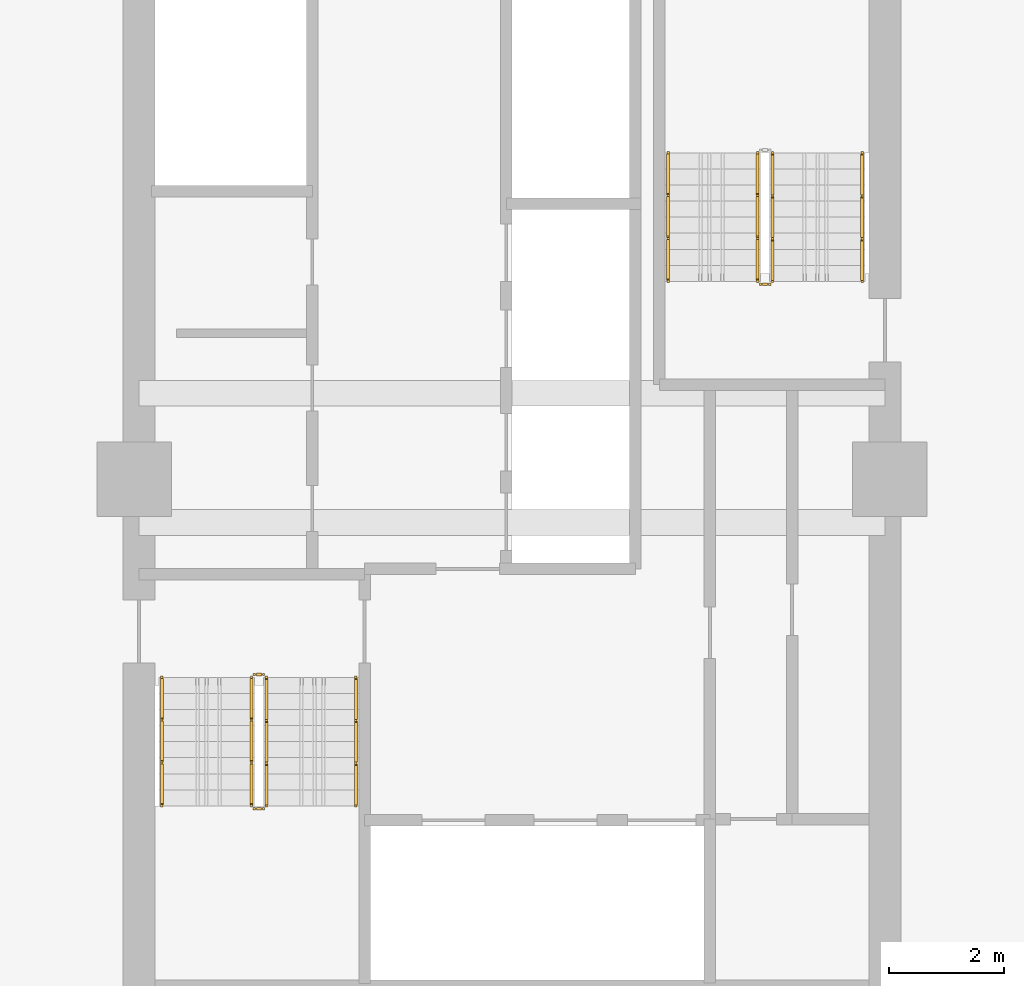
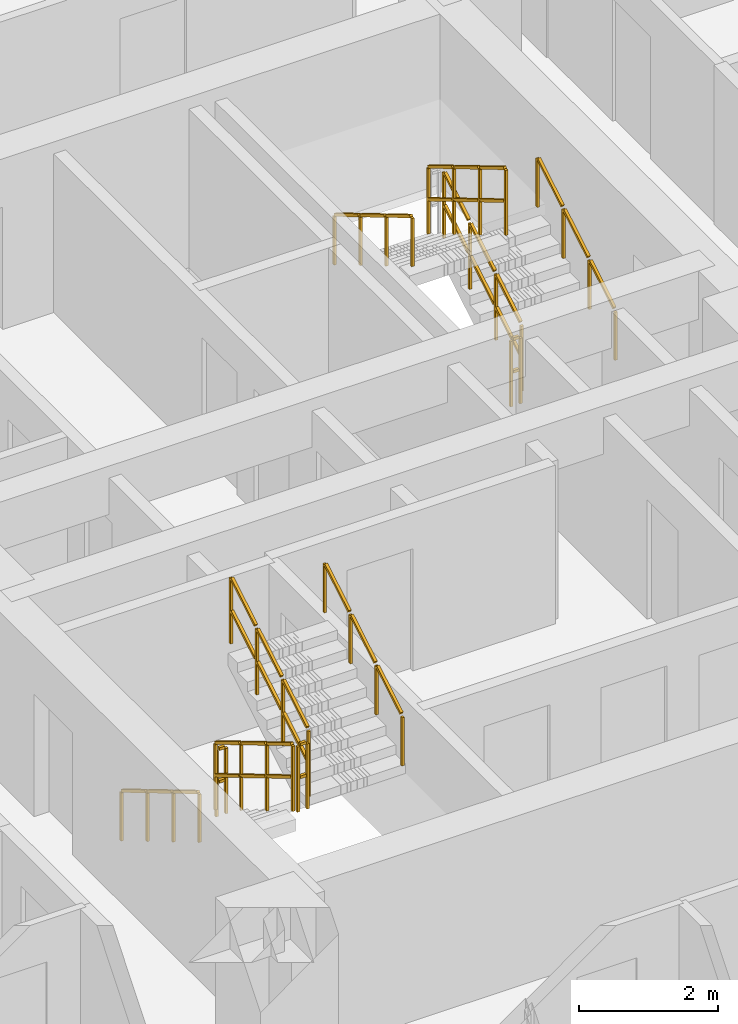
# One storey, part 11 of 13: 11 railings.
"""IFC4 building model written with IfcOpenShell, lengths in metres."""

import ifcopenshell
import ifcopenshell.guid

model = None  # the IFC model being written
_history = None  # IfcOwnerHistory: only IFC2X3 demands one
_inside = {}  # id of a spatial element -> (the spatial element, [elements in it])
_under = {}  # id of a project, library or spatial element -> (it, [spatial elements below it])
_declared = {}  # id of a project -> (the project, [libraries it declares])
_typed = {}  # id of a type object -> (the type object, [elements of that type])
_made_of = {}  # id of a material, layer set ... -> (it, [elements and type objects made of it])


def new_model(schema):
    """Start an empty IFC model of exactly this schema.

    Asked for "IFC4X3", IfcOpenShell would pick the latest addendum, in which some entities
    have other attributes; the version numbers below select the first issue.
    IFC2X3 requires an IfcOwnerHistory on every rooted entity: one is made here for all.
    """
    global model, _history
    if schema == "IFC4X3":
        model = ifcopenshell.file(schema_version=(4, 3, 0, 0))
    else:
        model = ifcopenshell.file(schema=schema)
    _inside.clear()
    _under.clear()
    _declared.clear()
    _typed.clear()
    _made_of.clear()
    _history = None
    if model.schema == "IFC2X3":
        org = make("IfcOrganization", Name="unknown")
        user = make(
            "IfcPersonAndOrganization",
            ThePerson=make("IfcPerson", FamilyName="unknown"),
            TheOrganization=org,
        )
        app = make(
            "IfcApplication",
            ApplicationDeveloper=org,
            Version="unknown",
            ApplicationFullName="unknown",
            ApplicationIdentifier="unknown",
        )
        _history = make(
            "IfcOwnerHistory",
            OwningUser=user,
            OwningApplication=app,
            ChangeAction="ADDED",
            CreationDate=0,
        )
    return model


def make(cls, **values):
    """One entity of the class cls with the attributes given. An attribute that is None is left unset."""
    return model.create_entity(
        cls, **{name: value for name, value in values.items() if value is not None}
    )


def rooted(cls, **values):
    """An entity with a GlobalId (a new one), such as an element, a storey or a relation."""
    return make(cls, GlobalId=ifcopenshell.guid.new(), OwnerHistory=_history, **values)


def si_unit(unit_type, name, prefix=None):
    """IfcSIUnit, for example si_unit("LENGTHUNIT", "METRE", prefix="MILLI")."""
    return make("IfcSIUnit", UnitType=unit_type, Prefix=prefix, Name=name)


def assignment(units):
    """IfcUnitAssignment: the units of a project."""
    return None if units is None else make("IfcUnitAssignment", Units=units)


def point(xyz):
    """IfcCartesianPoint."""
    return None if xyz is None else make("IfcCartesianPoint", Coordinates=xyz)


def direction(xyz):
    """IfcDirection."""
    return None if xyz is None else make("IfcDirection", DirectionRatios=xyz)


def frame(location, z_axis=None, x_axis=None):
    """IfcAxis2Placement3D, a coordinate frame: its origin and axes. An axis left out is left unset."""
    return make(
        "IfcAxis2Placement3D",
        Location=point(location),
        Axis=direction(z_axis),
        RefDirection=direction(x_axis),
    )


def frame_2d(location, x_axis=None):
    """IfcAxis2Placement2D, a coordinate frame in the plane: its origin and x axis."""
    return make(
        "IfcAxis2Placement2D", Location=point(location), RefDirection=direction(x_axis)
    )


def origin():
    """The frame at (0, 0, 0) with its axes left unset."""
    return frame((0.0, 0.0, 0.0))


def origin_2d():
    """The frame at (0, 0) in the plane with its x axis left unset."""
    return frame_2d((0.0, 0.0))


def place(relative_to, where):
    """IfcLocalPlacement: puts the frame where relative to a parent placement (None: the world)."""
    return make(
        "IfcLocalPlacement", PlacementRelTo=relative_to, RelativePlacement=where
    )


def context(
    kind, dimensions, precision=None, world=None, true_north=None, identifier=None
):
    """IfcGeometricRepresentationContext, for example the 3D "Model" context."""
    return make(
        "IfcGeometricRepresentationContext",
        ContextIdentifier=identifier,
        ContextType=kind,
        CoordinateSpaceDimension=dimensions,
        Precision=precision,
        WorldCoordinateSystem=world,
        TrueNorth=true_north,
    )


def subcontext(parent, identifier, kind, view, scale=None):
    """IfcGeometricRepresentationSubContext, for example "Body" below "Model"."""
    return make(
        "IfcGeometricRepresentationSubContext",
        ContextIdentifier=identifier,
        ContextType=kind,
        ParentContext=parent,
        TargetScale=scale,
        TargetView=view,
    )


def project(units=None, contexts=None):
    """IfcProject with its units and contexts."""
    return rooted(
        "IfcProject",
        Name="project",
        RepresentationContexts=contexts,
        UnitsInContext=assignment(units),
    )


def spatial(cls, under=None, at=None, **own):
    """A site, building, storey or space (cls), placed at a placement, below another one or the project."""
    s = rooted(cls, ObjectPlacement=at, **own)
    if under is not None:
        _under.setdefault(under.id(), (under, []))[1].append(s)
    return s


def profile(cls, at=None, kind="AREA", **sizes):
    """A parametric profile (cls). Its sizes go by their IFC names, for example OverallWidth=200.0."""
    return make(cls, ProfileType=kind, Position=at, **sizes)


def rectangle(**sizes):
    """IfcRectangleProfileDef."""
    return profile("IfcRectangleProfileDef", **sizes)


def extrude(swept, where, along, depth):
    """IfcExtrudedAreaSolid: the profile swept, set in the frame where, extruded along a direction by depth."""
    return make(
        "IfcExtrudedAreaSolid",
        SweptArea=swept,
        Position=where,
        ExtrudedDirection=direction(along),
        Depth=depth,
    )


def shape(context_of_items, identifier, shape_type, items):
    """IfcShapeRepresentation: the items that make up one representation, for example the "Body"."""
    return make(
        "IfcShapeRepresentation",
        ContextOfItems=context_of_items,
        RepresentationIdentifier=identifier,
        RepresentationType=shape_type,
        Items=items,
    )


def material(Name=None, Category=None):
    """IfcMaterial."""
    return make("IfcMaterial", Name=Name, Category=Category)


def made_of(thing, what):
    """Note that an element or type object is made of a material, layer set ...; save() writes the relation."""
    if what is not None:
        _made_of.setdefault(what.id(), (what, []))[1].append(thing)
    return thing


def type_object(cls, material=None, **own):
    """A type object (cls), such as IfcWallType, which elements share."""
    return made_of(rooted(cls, **own), material)


def element(
    cls,
    number,
    at=None,
    inside=None,
    cuts=None,
    type_object=None,
    material=None,
    context=None,
    identifier="Body",
    shape_type=None,
    held_by="IfcProductDefinitionShape",
    body=None,
    shapes=None,
    **own,
):
    """One element of the class cls, such as IfcWall. Its Tag is "e" and its number.

    at: its placement. inside: the storey or other place that contains it. cuts: it is an
    opening in that element (IfcRelVoidsElement). A single representation is given by context,
    identifier, shape_type and body (its items); several are given by shapes. held_by: the class
    of the entity that holds the representations. save() writes the other relations.
    """
    e = rooted(cls, Tag="e%d" % number, ObjectPlacement=at, **own)
    if body is not None:
        shapes = [shape(context, identifier, shape_type, body)]
    if shapes is not None:
        e.Representation = make(held_by, Representations=shapes)
    if inside is not None:
        _inside.setdefault(inside.id(), (inside, []))[1].append(e)
    if cuts is not None:
        rooted(
            "IfcRelVoidsElement", RelatingBuildingElement=cuts, RelatedOpeningElement=e
        )
    if type_object is not None:
        _typed.setdefault(type_object.id(), (type_object, []))[1].append(e)
    return made_of(e, material)


def aggregate(whole, parts):
    """IfcRelAggregates: a whole, such as a stair, and the parts it consists of."""
    return rooted("IfcRelAggregates", RelatingObject=whole, RelatedObjects=parts)


def save(model, path):
    """Write the relations noted so far, then the file.

    IfcRelAggregates (storeys below a building ...), IfcRelContainedInSpatialStructure (elements
    in a storey), IfcRelDefinesByType, IfcRelAssociatesMaterial and IfcRelDeclares: one each for
    every whole, place, type object, material and project.
    """
    for whole, parts in _under.values():
        aggregate(whole, parts)
    for where, things in _inside.values():
        rooted(
            "IfcRelContainedInSpatialStructure",
            RelatedElements=things,
            RelatingStructure=where,
        )
    for kind, things in _typed.values():
        rooted("IfcRelDefinesByType", RelatedObjects=things, RelatingType=kind)
    for what, things in _made_of.values():
        rooted("IfcRelAssociatesMaterial", RelatedObjects=things, RelatingMaterial=what)
    for by, libraries in _declared.values():
        rooted("IfcRelDeclares", RelatingContext=by, RelatedDefinitions=libraries)
    model.write(path)


model = new_model("IFC4")

# Units and contexts
model_context = context("Model", 3, precision=1e-05, world=origin(), true_north=direction((0.0, 1.0)))
body_context = subcontext(model_context, "Body", "Model", "MODEL_VIEW")
ifc_project = project(units=[si_unit("LENGTHUNIT", "METRE"), si_unit("AREAUNIT", "SQUARE_METRE"), si_unit("VOLUMEUNIT", "CUBIC_METRE"), si_unit("PLANEANGLEUNIT", "RADIAN"), si_unit("MASSUNIT", "GRAM", prefix="KILO")], contexts=[model_context])

# Site, building, storey
site_placement = place(None, origin())
site = spatial("IfcSite", under=ifc_project, at=site_placement, CompositionType="ELEMENT")
building_placement = place(site_placement, origin())
building = spatial("IfcBuilding", under=site, at=building_placement, Name="Saelheon Loggia Tower", CompositionType="ELEMENT")
storey_placement = place(building_placement, frame((0.0, 0.0, 129.75)))
storey = spatial("IfcBuildingStorey", under=building, at=storey_placement, Name="L41", CompositionType="ELEMENT", Elevation=129.75)

# Railings
ifc_material_1 = material(Name="Galvanised Steel S275 Stairwell Guardrail", Category="steel")
railing_type_1 = type_object("IfcRailingType", Name="Guard_StairWell_RL_STG", PredefinedType="GUARDRAIL", material=ifc_material_1)
railing_1_placement = place(storey_placement, frame((33.4599609375, 23.550048828125, 0.166748046875)))
element("IfcRailing", 1, at=railing_1_placement, inside=storey, type_object=railing_type_1, Name="L41 ST1 stair guard 1", PredefinedType="GUARDRAIL", context=body_context, shape_type="SweptSolid", body=[
    extrude(rectangle(XDim=0.048095703125, YDim=0.048095703125, at=origin_2d()), frame((0.0, -0.028564453125, 1.19287109375), z_axis=(0.0, -0.859305625298, 0.511462454469), x_axis=(1.0, 0.0, 0.0)), (0.0, 0.0, 1.0), 0.802490234375),
    extrude(rectangle(XDim=0.048095703125, YDim=0.048095703125, at=origin_2d()), frame((0.0, -0.028564453125, 0.616943359375), z_axis=(0.0, -0.859305625298, 0.511462454469), x_axis=(1.0, 0.0, 0.0)), (0.0, 0.0, 1.0), 0.802490234375),
    extrude(rectangle(XDim=0.048095703125, YDim=0.048095703125, at=origin_2d()), frame((0.0, -0.775146484375, 1.63720703125), z_axis=(0.0, -0.859305625298, 0.511462454469), x_axis=(1.0, 0.0, 0.0)), (0.0, 0.0, 1.0), 0.802490234375),
    extrude(rectangle(XDim=0.048095703125, YDim=0.048095703125, at=origin_2d()), frame((0.0, -0.775146484375, 1.061279296875), z_axis=(0.0, -0.859305625298, 0.511462454469), x_axis=(1.0, 0.0, 0.0)), (0.0, 0.0, 1.0), 0.802490234375),
    extrude(rectangle(XDim=0.048095703125, YDim=0.048095703125, at=origin_2d()), frame((0.0, -1.52197265625, 2.081787109375), z_axis=(0.0, -0.859305625298, 0.511462454469), x_axis=(1.0, 0.0, 0.0)), (0.0, 0.0, 1.0), 0.802490234375),
    extrude(rectangle(XDim=0.048095703125, YDim=0.048095703125, at=origin_2d()), frame((0.0, -1.52197265625, 1.505859375), z_axis=(0.0, -0.859305625298, 0.511462454469), x_axis=(1.0, 0.0, 0.0)), (0.0, 0.0, 1.0), 0.802490234375),
    extrude(rectangle(XDim=0.0419921875, YDim=0.0419921875, at=origin_2d()), origin(), (0.0, 0.0, 1.0), 1.14794921875),
    extrude(rectangle(XDim=0.0419921875, YDim=0.0419921875, at=origin_2d()), frame((0.0, -0.74658203125, 0.4443359375)), (0.0, 0.0, 1.0), 1.14794921875),
    extrude(rectangle(XDim=0.0419921875, YDim=0.0419921875, at=origin_2d()), frame((0.0, -1.493408203125, 0.888916015625)), (0.0, 0.0, 1.0), 1.14794921875),
    extrude(rectangle(XDim=0.0419921875, YDim=0.0419921875, at=origin_2d()), frame((0.0, -2.239990234375, 1.333251953125)), (0.0, 0.0, 1.0), 1.14794921875),
])
railing_2_placement = place(storey_placement, frame((33.510009765625, 21.260009765625, 1.5)))
element("IfcRailing", 2, at=railing_2_placement, inside=storey, type_object=railing_type_1, Name="L41 ST1 stair guard 2", PredefinedType="GUARDRAIL", context=body_context, shape_type="SweptSolid", body=[
    extrude(rectangle(XDim=0.048095703125, YDim=0.048095703125, at=origin_2d()), frame((0.033203125, 0.0, 1.17578125), z_axis=(1.0, 0.0, 0.0), x_axis=(0.0, 1.0, 0.0)), (0.0, 0.0, 1.0), 0.093505859375),
    extrude(rectangle(XDim=0.048095703125, YDim=0.048095703125, at=origin_2d()), frame((0.033203125, 0.0, 0.60009765625), z_axis=(1.0, 0.0, 0.0), x_axis=(0.0, 1.0, 0.0)), (0.0, 0.0, 1.0), 0.093505859375),
    extrude(rectangle(XDim=0.0419921875, YDim=0.0419921875, at=origin_2d()), origin(), (0.0, 0.0, 1.0), 1.14794921875),
    extrude(rectangle(XDim=0.0419921875, YDim=0.0419921875, at=origin_2d()), frame((0.159912109375, 0.0, 0.0)), (0.0, 0.0, 1.0), 1.14794921875),
])
railing_3_placement = place(storey_placement, frame((33.719970703125, 21.31005859375, 1.666748046875)))
element("IfcRailing", 3, at=railing_3_placement, inside=storey, type_object=railing_type_1, Name="L41 ST1 stair guard 3", PredefinedType="GUARDRAIL", context=body_context, shape_type="SweptSolid", body=[
    extrude(rectangle(XDim=0.048095703125, YDim=0.048095703125, at=origin_2d()), frame((0.0, 0.028564453125, 1.19287109375), z_axis=(0.0, 0.859305625298, 0.511462454469), x_axis=(-1.0, 0.0, 0.0)), (0.0, 0.0, 1.0), 0.802490234375),
    extrude(rectangle(XDim=0.048095703125, YDim=0.048095703125, at=origin_2d()), frame((0.0, 0.028564453125, 0.616943359375), z_axis=(0.0, 0.859305625298, 0.511462454469), x_axis=(-1.0, 0.0, 0.0)), (0.0, 0.0, 1.0), 0.802490234375),
    extrude(rectangle(XDim=0.048095703125, YDim=0.048095703125, at=origin_2d()), frame((0.0, 0.775146484375, 1.63720703125), z_axis=(0.0, 0.859305625298, 0.511462454469), x_axis=(-1.0, 0.0, 0.0)), (0.0, 0.0, 1.0), 0.802490234375),
    extrude(rectangle(XDim=0.048095703125, YDim=0.048095703125, at=origin_2d()), frame((0.0, 0.775146484375, 1.061279296875), z_axis=(0.0, 0.859305625298, 0.511462454469), x_axis=(-1.0, 0.0, 0.0)), (0.0, 0.0, 1.0), 0.802490234375),
    extrude(rectangle(XDim=0.048095703125, YDim=0.048095703125, at=origin_2d()), frame((0.0, 1.52197265625, 2.081787109375), z_axis=(0.0, 0.859305625298, 0.511462454469), x_axis=(-1.0, 0.0, 0.0)), (0.0, 0.0, 1.0), 0.802490234375),
    extrude(rectangle(XDim=0.048095703125, YDim=0.048095703125, at=origin_2d()), frame((0.0, 1.52197265625, 1.505859375), z_axis=(0.0, 0.859305625298, 0.511462454469), x_axis=(-1.0, 0.0, 0.0)), (0.0, 0.0, 1.0), 0.802490234375),
    extrude(rectangle(XDim=0.0419921875, YDim=0.0419921875, at=origin_2d()), origin(), (0.0, 0.0, 1.0), 1.14794921875),
    extrude(rectangle(XDim=0.0419921875, YDim=0.0419921875, at=origin_2d()), frame((0.0, 0.74658203125, 0.4443359375)), (0.0, 0.0, 1.0), 1.14794921875),
    extrude(rectangle(XDim=0.0419921875, YDim=0.0419921875, at=origin_2d()), frame((0.0, 1.493408203125, 0.888916015625)), (0.0, 0.0, 1.0), 1.14794921875),
    extrude(rectangle(XDim=0.0419921875, YDim=0.0419921875, at=origin_2d()), frame((0.0, 2.239990234375, 1.333251953125)), (0.0, 0.0, 1.0), 1.14794921875),
])
railing_4_placement = place(storey_placement, frame((33.510009765625, 23.60009765625, 0.0)))
element("IfcRailing", 4, at=railing_4_placement, inside=storey, type_object=railing_type_1, Name="L41 ST1 stair guard 4", PredefinedType="GUARDRAIL", context=body_context, shape_type="SweptSolid", body=[
    extrude(rectangle(XDim=0.048095703125, YDim=0.048095703125, at=origin_2d()), frame((0.033203125, 0.0, 1.17578125), z_axis=(1.0, 0.0, 0.0), x_axis=(0.0, 1.0, 0.0)), (0.0, 0.0, 1.0), 0.093505859375),
    extrude(rectangle(XDim=0.048095703125, YDim=0.048095703125, at=origin_2d()), frame((0.033203125, 0.0, 0.60009765625), z_axis=(1.0, 0.0, 0.0), x_axis=(0.0, 1.0, 0.0)), (0.0, 0.0, 1.0), 0.093505859375),
    extrude(rectangle(XDim=0.0419921875, YDim=0.0419921875, at=origin_2d()), origin(), (0.0, 0.0, 1.0), 1.14794921875),
    extrude(rectangle(XDim=0.0419921875, YDim=0.0419921875, at=origin_2d()), frame((0.159912109375, 0.0, 0.0)), (0.0, 0.0, 1.0), 1.14794921875),
])
railing_5_placement = place(storey_placement, frame((42.5400390625, 30.449951171875, 0.166748046875)))
element("IfcRailing", 5, at=railing_5_placement, inside=storey, type_object=railing_type_1, Name="L41 ST2 stair guard 1", PredefinedType="GUARDRAIL", context=body_context, shape_type="SweptSolid", body=[
    extrude(rectangle(XDim=0.048095703125, YDim=0.048095703125, at=origin_2d()), frame((0.0, 0.028564453125, 1.19287109375), z_axis=(0.0, 0.859305625298, 0.511462454469), x_axis=(-1.0, 0.0, 0.0)), (0.0, 0.0, 1.0), 0.802490234375),
    extrude(rectangle(XDim=0.048095703125, YDim=0.048095703125, at=origin_2d()), frame((0.0, 0.028564453125, 0.616943359375), z_axis=(0.0, 0.859305625298, 0.511462454469), x_axis=(-1.0, 0.0, 0.0)), (0.0, 0.0, 1.0), 0.802490234375),
    extrude(rectangle(XDim=0.048095703125, YDim=0.048095703125, at=origin_2d()), frame((0.0, 0.775146484375, 1.63720703125), z_axis=(0.0, 0.859305625298, 0.511462454469), x_axis=(-1.0, 0.0, 0.0)), (0.0, 0.0, 1.0), 0.802490234375),
    extrude(rectangle(XDim=0.048095703125, YDim=0.048095703125, at=origin_2d()), frame((0.0, 0.775146484375, 1.061279296875), z_axis=(0.0, 0.859305625298, 0.511462454469), x_axis=(-1.0, 0.0, 0.0)), (0.0, 0.0, 1.0), 0.802490234375),
    extrude(rectangle(XDim=0.048095703125, YDim=0.048095703125, at=origin_2d()), frame((0.0, 1.52197265625, 2.081787109375), z_axis=(0.0, 0.859305625298, 0.511462454469), x_axis=(-1.0, 0.0, 0.0)), (0.0, 0.0, 1.0), 0.802490234375),
    extrude(rectangle(XDim=0.048095703125, YDim=0.048095703125, at=origin_2d()), frame((0.0, 1.52197265625, 1.505859375), z_axis=(0.0, 0.859305625298, 0.511462454469), x_axis=(-1.0, 0.0, 0.0)), (0.0, 0.0, 1.0), 0.802490234375),
    extrude(rectangle(XDim=0.0419921875, YDim=0.0419921875, at=origin_2d()), origin(), (0.0, 0.0, 1.0), 1.14794921875),
    extrude(rectangle(XDim=0.0419921875, YDim=0.0419921875, at=origin_2d()), frame((0.0, 0.74658203125, 0.4443359375)), (0.0, 0.0, 1.0), 1.14794921875),
    extrude(rectangle(XDim=0.0419921875, YDim=0.0419921875, at=origin_2d()), frame((0.0, 1.493408203125, 0.888916015625)), (0.0, 0.0, 1.0), 1.14794921875),
    extrude(rectangle(XDim=0.0419921875, YDim=0.0419921875, at=origin_2d()), frame((0.0, 2.239990234375, 1.333251953125)), (0.0, 0.0, 1.0), 1.14794921875),
])
railing_6_placement = place(storey_placement, frame((42.280029296875, 32.68994140625, 1.666748046875)))
element("IfcRailing", 6, at=railing_6_placement, inside=storey, type_object=railing_type_1, Name="L41 ST2 stair guard 3", PredefinedType="GUARDRAIL", context=body_context, shape_type="SweptSolid", body=[
    extrude(rectangle(XDim=0.048095703125, YDim=0.048095703125, at=origin_2d()), frame((0.0, -0.028564453125, 1.19287109375), z_axis=(0.0, -0.859305625298, 0.511462454469), x_axis=(1.0, 0.0, 0.0)), (0.0, 0.0, 1.0), 0.802490234375),
    extrude(rectangle(XDim=0.048095703125, YDim=0.048095703125, at=origin_2d()), frame((0.0, -0.028564453125, 0.616943359375), z_axis=(0.0, -0.859305625298, 0.511462454469), x_axis=(1.0, 0.0, 0.0)), (0.0, 0.0, 1.0), 0.802490234375),
    extrude(rectangle(XDim=0.048095703125, YDim=0.048095703125, at=origin_2d()), frame((0.0, -0.775146484375, 1.63720703125), z_axis=(0.0, -0.859305625298, 0.511462454469), x_axis=(1.0, 0.0, 0.0)), (0.0, 0.0, 1.0), 0.802490234375),
    extrude(rectangle(XDim=0.048095703125, YDim=0.048095703125, at=origin_2d()), frame((0.0, -0.775146484375, 1.061279296875), z_axis=(0.0, -0.859305625298, 0.511462454469), x_axis=(1.0, 0.0, 0.0)), (0.0, 0.0, 1.0), 0.802490234375),
    extrude(rectangle(XDim=0.048095703125, YDim=0.048095703125, at=origin_2d()), frame((0.0, -1.52197265625, 2.081787109375), z_axis=(0.0, -0.859305625298, 0.511462454469), x_axis=(1.0, 0.0, 0.0)), (0.0, 0.0, 1.0), 0.802490234375),
    extrude(rectangle(XDim=0.048095703125, YDim=0.048095703125, at=origin_2d()), frame((0.0, -1.52197265625, 1.505859375), z_axis=(0.0, -0.859305625298, 0.511462454469), x_axis=(1.0, 0.0, 0.0)), (0.0, 0.0, 1.0), 0.802490234375),
    extrude(rectangle(XDim=0.0419921875, YDim=0.0419921875, at=origin_2d()), origin(), (0.0, 0.0, 1.0), 1.14794921875),
    extrude(rectangle(XDim=0.0419921875, YDim=0.0419921875, at=origin_2d()), frame((0.0, -0.74658203125, 0.4443359375)), (0.0, 0.0, 1.0), 1.14794921875),
    extrude(rectangle(XDim=0.0419921875, YDim=0.0419921875, at=origin_2d()), frame((0.0, -1.493408203125, 0.888916015625)), (0.0, 0.0, 1.0), 1.14794921875),
    extrude(rectangle(XDim=0.0419921875, YDim=0.0419921875, at=origin_2d()), frame((0.0, -2.239990234375, 1.333251953125)), (0.0, 0.0, 1.0), 1.14794921875),
])
railing_7_placement = place(storey_placement, frame((42.489990234375, 30.39990234375, 0.0)))
element("IfcRailing", 7, at=railing_7_placement, inside=storey, type_object=railing_type_1, Name="L41 ST2 stair guard 4", PredefinedType="GUARDRAIL", context=body_context, shape_type="SweptSolid", body=[
    extrude(rectangle(XDim=0.048095703125, YDim=0.048095703125, at=origin_2d()), frame((-0.033203125, 0.0, 1.17578125), z_axis=(-1.0, 0.0, 0.0), x_axis=(0.0, -1.0, 0.0)), (0.0, 0.0, 1.0), 0.093505859375),
    extrude(rectangle(XDim=0.048095703125, YDim=0.048095703125, at=origin_2d()), frame((-0.033203125, 0.0, 0.60009765625), z_axis=(-1.0, 0.0, 0.0), x_axis=(0.0, -1.0, 0.0)), (0.0, 0.0, 1.0), 0.093505859375),
    extrude(rectangle(XDim=0.0419921875, YDim=0.0419921875, at=origin_2d()), origin(), (0.0, 0.0, 1.0), 1.14794921875),
    extrude(rectangle(XDim=0.0419921875, YDim=0.0419921875, at=origin_2d()), frame((-0.159912109375, 0.0, 0.0)), (0.0, 0.0, 1.0), 1.14794921875),
])
ifc_material_2 = material(Name="Stainless Steel 304 Tubular Handrail", Category="steel")
railing_type_2 = type_object("IfcRailingType", Name="Handrail_Stair_RL_HR1", PredefinedType="HANDRAIL", material=ifc_material_2)
railing_8_placement = place(storey_placement, frame((31.89990234375, 23.550048828125, 0.166748046875)))
element("IfcRailing", 8, at=railing_8_placement, inside=storey, type_object=railing_type_2, Name="L41 ST1 stair handrail 1", PredefinedType="HANDRAIL", context=body_context, shape_type="SweptSolid", body=[
    extrude(rectangle(XDim=0.048095703125, YDim=0.048095703125, at=origin_2d()), frame((0.0, -0.028564453125, 0.892822265625), z_axis=(0.0, -0.859305625298, 0.511462454469), x_axis=(1.0, 0.0, 0.0)), (0.0, 0.0, 1.0), 0.802490234375),
    extrude(rectangle(XDim=0.048095703125, YDim=0.048095703125, at=origin_2d()), frame((0.0, -0.775146484375, 1.337158203125), z_axis=(0.0, -0.859305625298, 0.511462454469), x_axis=(1.0, 0.0, 0.0)), (0.0, 0.0, 1.0), 0.802490234375),
    extrude(rectangle(XDim=0.048095703125, YDim=0.048095703125, at=origin_2d()), frame((0.0, -1.52197265625, 1.78173828125), z_axis=(0.0, -0.859305625298, 0.511462454469), x_axis=(1.0, 0.0, 0.0)), (0.0, 0.0, 1.0), 0.802490234375),
    extrude(rectangle(XDim=0.0419921875, YDim=0.0419921875, at=origin_2d()), origin(), (0.0, 0.0, 1.0), 0.847900390625),
    extrude(rectangle(XDim=0.0419921875, YDim=0.0419921875, at=origin_2d()), frame((0.0, -0.74658203125, 0.4443359375)), (0.0, 0.0, 1.0), 0.847900390625),
    extrude(rectangle(XDim=0.0419921875, YDim=0.0419921875, at=origin_2d()), frame((0.0, -1.493408203125, 0.888916015625)), (0.0, 0.0, 1.0), 0.847900390625),
    extrude(rectangle(XDim=0.0419921875, YDim=0.0419921875, at=origin_2d()), frame((0.0, -2.239990234375, 1.333251953125)), (0.0, 0.0, 1.0), 0.847900390625),
])
for number, where, name in (
    (9, (35.280029296875, 21.31005859375, 1.666748046875), "L41 ST1 stair handrail 2"),
    (10, (44.10009765625, 30.449951171875, 0.166748046875), "L41 ST2 stair handrail 1"),
):
    element("IfcRailing", number, at=place(storey_placement, frame(where)), inside=storey, type_object=railing_type_2, Name=name, PredefinedType="HANDRAIL", context=body_context, shape_type="SweptSolid", body=[
        extrude(rectangle(XDim=0.048095703125, YDim=0.048095703125, at=origin_2d()), frame((0.0, 0.028564453125, 0.892822265625), z_axis=(0.0, 0.859305625298, 0.511462454469), x_axis=(-1.0, 0.0, 0.0)), (0.0, 0.0, 1.0), 0.802490234375),
        extrude(rectangle(XDim=0.048095703125, YDim=0.048095703125, at=origin_2d()), frame((0.0, 0.775146484375, 1.337158203125), z_axis=(0.0, 0.859305625298, 0.511462454469), x_axis=(-1.0, 0.0, 0.0)), (0.0, 0.0, 1.0), 0.802490234375),
        extrude(rectangle(XDim=0.048095703125, YDim=0.048095703125, at=origin_2d()), frame((0.0, 1.52197265625, 1.78173828125), z_axis=(0.0, 0.859305625298, 0.511462454469), x_axis=(-1.0, 0.0, 0.0)), (0.0, 0.0, 1.0), 0.802490234375),
        extrude(rectangle(XDim=0.0419921875, YDim=0.0419921875, at=origin_2d()), origin(), (0.0, 0.0, 1.0), 0.847900390625),
        extrude(rectangle(XDim=0.0419921875, YDim=0.0419921875, at=origin_2d()), frame((0.0, 0.74658203125, 0.4443359375)), (0.0, 0.0, 1.0), 0.847900390625),
        extrude(rectangle(XDim=0.0419921875, YDim=0.0419921875, at=origin_2d()), frame((0.0, 1.493408203125, 0.888916015625)), (0.0, 0.0, 1.0), 0.847900390625),
        extrude(rectangle(XDim=0.0419921875, YDim=0.0419921875, at=origin_2d()), frame((0.0, 2.239990234375, 1.333251953125)), (0.0, 0.0, 1.0), 0.847900390625),
    ])
railing_9_placement = place(storey_placement, frame((40.719970703125, 32.68994140625, 1.666748046875)))
element("IfcRailing", 11, at=railing_9_placement, inside=storey, type_object=railing_type_2, Name="L41 ST2 stair handrail 2", PredefinedType="HANDRAIL", context=body_context, shape_type="SweptSolid", body=[
    extrude(rectangle(XDim=0.048095703125, YDim=0.048095703125, at=origin_2d()), frame((0.0, -0.028564453125, 0.892822265625), z_axis=(0.0, -0.859305625298, 0.511462454469), x_axis=(1.0, 0.0, 0.0)), (0.0, 0.0, 1.0), 0.802490234375),
    extrude(rectangle(XDim=0.048095703125, YDim=0.048095703125, at=origin_2d()), frame((0.0, -0.775146484375, 1.337158203125), z_axis=(0.0, -0.859305625298, 0.511462454469), x_axis=(1.0, 0.0, 0.0)), (0.0, 0.0, 1.0), 0.802490234375),
    extrude(rectangle(XDim=0.048095703125, YDim=0.048095703125, at=origin_2d()), frame((0.0, -1.52197265625, 1.78173828125), z_axis=(0.0, -0.859305625298, 0.511462454469), x_axis=(1.0, 0.0, 0.0)), (0.0, 0.0, 1.0), 0.802490234375),
    extrude(rectangle(XDim=0.0419921875, YDim=0.0419921875, at=origin_2d()), origin(), (0.0, 0.0, 1.0), 0.847900390625),
    extrude(rectangle(XDim=0.0419921875, YDim=0.0419921875, at=origin_2d()), frame((0.0, -0.74658203125, 0.4443359375)), (0.0, 0.0, 1.0), 0.847900390625),
    extrude(rectangle(XDim=0.0419921875, YDim=0.0419921875, at=origin_2d()), frame((0.0, -1.493408203125, 0.888916015625)), (0.0, 0.0, 1.0), 0.847900390625),
    extrude(rectangle(XDim=0.0419921875, YDim=0.0419921875, at=origin_2d()), frame((0.0, -2.239990234375, 1.333251953125)), (0.0, 0.0, 1.0), 0.847900390625),
])

save(model, "model.ifc")
